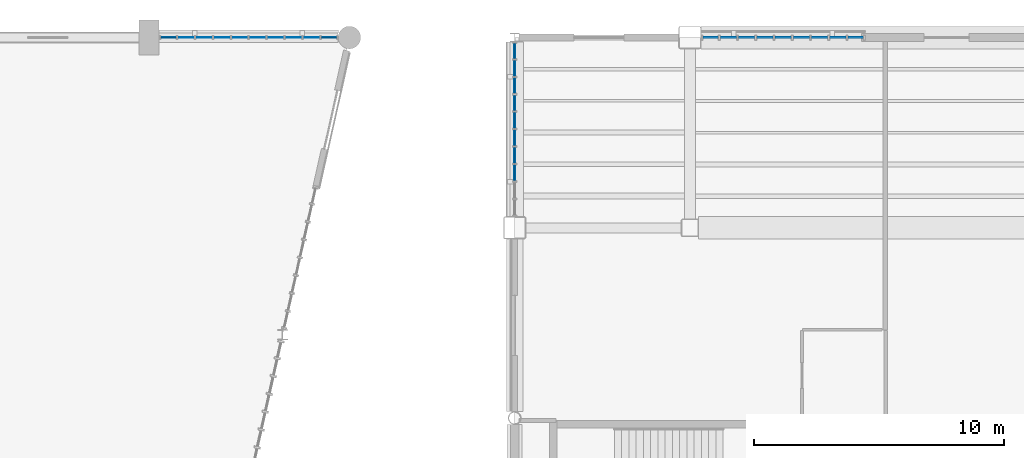
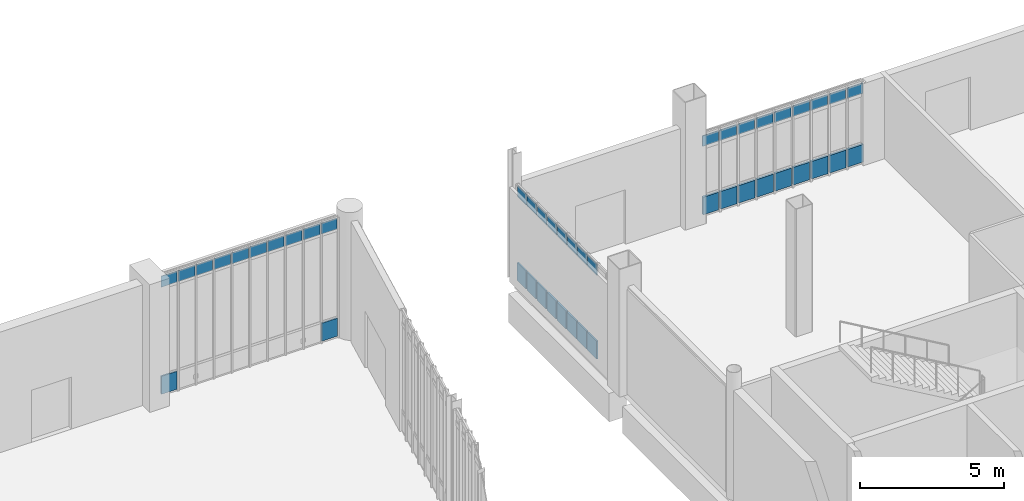
# One storey, part 81 of 111: 46 plates, 3 elements without a shape of their own.
"""IFC4 building model written with IfcOpenShell, lengths in metres."""

import ifcopenshell
import ifcopenshell.guid

model = None  # the IFC model being written
_history = None  # IfcOwnerHistory: only IFC2X3 demands one
_inside = {}  # id of a spatial element -> (the spatial element, [elements in it])
_under = {}  # id of a project, library or spatial element -> (it, [spatial elements below it])
_declared = {}  # id of a project -> (the project, [libraries it declares])
_typed = {}  # id of a type object -> (the type object, [elements of that type])
_made_of = {}  # id of a material, layer set ... -> (it, [elements and type objects made of it])


def new_model(schema):
    """Start an empty IFC model of exactly this schema.

    Asked for "IFC4X3", IfcOpenShell would pick the latest addendum, in which some entities
    have other attributes; the version numbers below select the first issue.
    IFC2X3 requires an IfcOwnerHistory on every rooted entity: one is made here for all.
    """
    global model, _history
    if schema == "IFC4X3":
        model = ifcopenshell.file(schema_version=(4, 3, 0, 0))
    else:
        model = ifcopenshell.file(schema=schema)
    _inside.clear()
    _under.clear()
    _declared.clear()
    _typed.clear()
    _made_of.clear()
    _history = None
    if model.schema == "IFC2X3":
        org = make("IfcOrganization", Name="unknown")
        user = make(
            "IfcPersonAndOrganization",
            ThePerson=make("IfcPerson", FamilyName="unknown"),
            TheOrganization=org,
        )
        app = make(
            "IfcApplication",
            ApplicationDeveloper=org,
            Version="unknown",
            ApplicationFullName="unknown",
            ApplicationIdentifier="unknown",
        )
        _history = make(
            "IfcOwnerHistory",
            OwningUser=user,
            OwningApplication=app,
            ChangeAction="ADDED",
            CreationDate=0,
        )
    return model


def make(cls, **values):
    """One entity of the class cls with the attributes given. An attribute that is None is left unset."""
    return model.create_entity(
        cls, **{name: value for name, value in values.items() if value is not None}
    )


def rooted(cls, **values):
    """An entity with a GlobalId (a new one), such as an element, a storey or a relation."""
    return make(cls, GlobalId=ifcopenshell.guid.new(), OwnerHistory=_history, **values)


def si_unit(unit_type, name, prefix=None):
    """IfcSIUnit, for example si_unit("LENGTHUNIT", "METRE", prefix="MILLI")."""
    return make("IfcSIUnit", UnitType=unit_type, Prefix=prefix, Name=name)


def assignment(units):
    """IfcUnitAssignment: the units of a project."""
    return None if units is None else make("IfcUnitAssignment", Units=units)


def point(xyz):
    """IfcCartesianPoint."""
    return None if xyz is None else make("IfcCartesianPoint", Coordinates=xyz)


def direction(xyz):
    """IfcDirection."""
    return None if xyz is None else make("IfcDirection", DirectionRatios=xyz)


def frame(location, z_axis=None, x_axis=None):
    """IfcAxis2Placement3D, a coordinate frame: its origin and axes. An axis left out is left unset."""
    return make(
        "IfcAxis2Placement3D",
        Location=point(location),
        Axis=direction(z_axis),
        RefDirection=direction(x_axis),
    )


def frame_2d(location, x_axis=None):
    """IfcAxis2Placement2D, a coordinate frame in the plane: its origin and x axis."""
    return make(
        "IfcAxis2Placement2D", Location=point(location), RefDirection=direction(x_axis)
    )


def origin():
    """The frame at (0, 0, 0) with its axes left unset."""
    return frame((0.0, 0.0, 0.0))


def origin_2d():
    """The frame at (0, 0) in the plane with its x axis left unset."""
    return frame_2d((0.0, 0.0))


def place(relative_to, where):
    """IfcLocalPlacement: puts the frame where relative to a parent placement (None: the world)."""
    return make(
        "IfcLocalPlacement", PlacementRelTo=relative_to, RelativePlacement=where
    )


def context(
    kind, dimensions, precision=None, world=None, true_north=None, identifier=None
):
    """IfcGeometricRepresentationContext, for example the 3D "Model" context."""
    return make(
        "IfcGeometricRepresentationContext",
        ContextIdentifier=identifier,
        ContextType=kind,
        CoordinateSpaceDimension=dimensions,
        Precision=precision,
        WorldCoordinateSystem=world,
        TrueNorth=true_north,
    )


def subcontext(parent, identifier, kind, view, scale=None):
    """IfcGeometricRepresentationSubContext, for example "Body" below "Model"."""
    return make(
        "IfcGeometricRepresentationSubContext",
        ContextIdentifier=identifier,
        ContextType=kind,
        ParentContext=parent,
        TargetScale=scale,
        TargetView=view,
    )


def project(units=None, contexts=None):
    """IfcProject with its units and contexts."""
    return rooted(
        "IfcProject",
        Name="project",
        RepresentationContexts=contexts,
        UnitsInContext=assignment(units),
    )


def spatial(cls, under=None, at=None, **own):
    """A site, building, storey or space (cls), placed at a placement, below another one or the project."""
    s = rooted(cls, ObjectPlacement=at, **own)
    if under is not None:
        _under.setdefault(under.id(), (under, []))[1].append(s)
    return s


def profile(cls, at=None, kind="AREA", **sizes):
    """A parametric profile (cls). Its sizes go by their IFC names, for example OverallWidth=200.0."""
    return make(cls, ProfileType=kind, Position=at, **sizes)


def rectangle(**sizes):
    """IfcRectangleProfileDef."""
    return profile("IfcRectangleProfileDef", **sizes)


def extrude(swept, where, along, depth):
    """IfcExtrudedAreaSolid: the profile swept, set in the frame where, extruded along a direction by depth."""
    return make(
        "IfcExtrudedAreaSolid",
        SweptArea=swept,
        Position=where,
        ExtrudedDirection=direction(along),
        Depth=depth,
    )


def shape(context_of_items, identifier, shape_type, items):
    """IfcShapeRepresentation: the items that make up one representation, for example the "Body"."""
    return make(
        "IfcShapeRepresentation",
        ContextOfItems=context_of_items,
        RepresentationIdentifier=identifier,
        RepresentationType=shape_type,
        Items=items,
    )


def material(Name=None, Category=None):
    """IfcMaterial."""
    return make("IfcMaterial", Name=Name, Category=Category)


def layer(
    of_material, thickness, ventilated=None, Name=None, Category=None, Priority=None
):
    """IfcMaterialLayer: one layer of a wall or slab, of a material (None: an air gap)."""
    return make(
        "IfcMaterialLayer",
        Material=of_material,
        LayerThickness=thickness,
        IsVentilated=ventilated,
        Name=Name,
        Category=Category,
        Priority=Priority,
    )


def layer_set(layers, Name=None):
    """IfcMaterialLayerSet."""
    return make("IfcMaterialLayerSet", MaterialLayers=layers, LayerSetName=Name)


def made_of(thing, what):
    """Note that an element or type object is made of a material, layer set ...; save() writes the relation."""
    if what is not None:
        _made_of.setdefault(what.id(), (what, []))[1].append(thing)
    return thing


def type_object(cls, material=None, **own):
    """A type object (cls), such as IfcWallType, which elements share."""
    return made_of(rooted(cls, **own), material)


def element(
    cls,
    number,
    at=None,
    inside=None,
    cuts=None,
    type_object=None,
    material=None,
    context=None,
    identifier="Body",
    shape_type=None,
    held_by="IfcProductDefinitionShape",
    body=None,
    shapes=None,
    **own,
):
    """One element of the class cls, such as IfcWall. Its Tag is "e" and its number.

    at: its placement. inside: the storey or other place that contains it. cuts: it is an
    opening in that element (IfcRelVoidsElement). A single representation is given by context,
    identifier, shape_type and body (its items); several are given by shapes. held_by: the class
    of the entity that holds the representations. save() writes the other relations.
    """
    e = rooted(cls, Tag="e%d" % number, ObjectPlacement=at, **own)
    if body is not None:
        shapes = [shape(context, identifier, shape_type, body)]
    if shapes is not None:
        e.Representation = make(held_by, Representations=shapes)
    if inside is not None:
        _inside.setdefault(inside.id(), (inside, []))[1].append(e)
    if cuts is not None:
        rooted(
            "IfcRelVoidsElement", RelatingBuildingElement=cuts, RelatedOpeningElement=e
        )
    if type_object is not None:
        _typed.setdefault(type_object.id(), (type_object, []))[1].append(e)
    return made_of(e, material)


def aggregate(whole, parts):
    """IfcRelAggregates: a whole, such as a stair, and the parts it consists of."""
    return rooted("IfcRelAggregates", RelatingObject=whole, RelatedObjects=parts)


def save(model, path):
    """Write the relations noted so far, then the file.

    IfcRelAggregates (storeys below a building ...), IfcRelContainedInSpatialStructure (elements
    in a storey), IfcRelDefinesByType, IfcRelAssociatesMaterial and IfcRelDeclares: one each for
    every whole, place, type object, material and project.
    """
    for whole, parts in _under.values():
        aggregate(whole, parts)
    for where, things in _inside.values():
        rooted(
            "IfcRelContainedInSpatialStructure",
            RelatedElements=things,
            RelatingStructure=where,
        )
    for kind, things in _typed.values():
        rooted("IfcRelDefinesByType", RelatedObjects=things, RelatingType=kind)
    for what, things in _made_of.values():
        rooted("IfcRelAssociatesMaterial", RelatedObjects=things, RelatingMaterial=what)
    for by, libraries in _declared.values():
        rooted("IfcRelDeclares", RelatingContext=by, RelatedDefinitions=libraries)
    model.write(path)


model = new_model("IFC4")

# Units and contexts
model_context = context("Model", 3, precision=1e-05, world=origin(), true_north=direction((0.0, 1.0)))
body_context = subcontext(model_context, "Body", "Model", "MODEL_VIEW")
ifc_project = project(units=[si_unit("LENGTHUNIT", "METRE"), si_unit("AREAUNIT", "SQUARE_METRE"), si_unit("VOLUMEUNIT", "CUBIC_METRE"), si_unit("PLANEANGLEUNIT", "RADIAN"), si_unit("MASSUNIT", "GRAM", prefix="KILO")], contexts=[model_context])

# Site, building, storey
site_placement = place(None, origin())
site = spatial("IfcSite", under=ifc_project, at=site_placement, CompositionType="ELEMENT")
building_placement = place(site_placement, origin())
building = spatial("IfcBuilding", under=site, at=building_placement, Name="Larkvane Passage Sports Hall", CompositionType="ELEMENT")
storey_placement = place(building_placement, origin())
storey = spatial("IfcBuildingStorey", under=building, at=storey_placement, Name="L00", CompositionType="ELEMENT", Elevation=0.0)

# Curtain wall, plates
ifc_material_1 = material(Name="Thermally broken aluminium and low-E glazing", Category="aluminium")
curtain_wall_type_1 = type_object("IfcCurtainWallType", Name="CW-UNIT-COURT", PredefinedType="USERDEFINED", material=ifc_material_1)
curtain_wall_1_placement = place(storey_placement, origin())
curtain_wall_1 = element("IfcCurtainWall", 1, at=curtain_wall_1_placement, inside=storey, type_object=curtain_wall_type_1, Name="Curtain wall CW5-L00-012", ObjectType="UNITISED CURTAIN WALL", PredefinedType="USERDEFINED")
ifc_material_2 = material(Name="Insulated aluminium spandrel panel", Category="aluminium")
ifc_layer_1 = layer(ifc_material_2, 0.06494140625)
ifc_layer_set_1 = layer_set([ifc_layer_1], Name="Insulated aluminium spandrel panel")
plate_type_1 = type_object("IfcPlateType", Name="CWP-SPD-65", PredefinedType="CURTAIN_PANEL", material=ifc_layer_set_1)
plate_1_placement = place(storey_placement, frame((110.768798828125, 99.199951171875, 0.06005859375), z_axis=(0.0, 0.0, 1.0), x_axis=(1.0, 0.0, 0.0)))
plate_1 = element("IfcPlate", 2, at=plate_1_placement, type_object=plate_type_1, Name="CW-01 panel 1.1", PredefinedType="CURTAIN_PANEL", context=body_context, shape_type="SweptSolid", body=[
    extrude(rectangle(XDim=0.625732421875, YDim=0.06494140625, at=origin_2d()), origin(), (0.0, 0.0, 1.0), 0.760009765625),
])
plate_2_placement = place(storey_placement, frame((117.18115234375, 99.199951171875, 0.06005859375), z_axis=(0.0, 0.0, 1.0), x_axis=(1.0, 0.0, 0.0)))
plate_2 = element("IfcPlate", 3, at=plate_2_placement, type_object=plate_type_1, Name="CW-01 panel 10.1", PredefinedType="CURTAIN_PANEL", context=body_context, shape_type="SweptSolid", body=[
    extrude(rectangle(XDim=0.625732421875, YDim=0.06494140625, at=origin_2d()), origin(), (0.0, 0.0, 1.0), 0.760009765625),
])

curtain_wall_2_placement = place(storey_placement, origin())
curtain_wall_2 = element("IfcCurtainWall", 4, at=curtain_wall_2_placement, inside=storey, type_object=curtain_wall_type_1, Name="Curtain wall CW5-L00-020", ObjectType="UNITISED CURTAIN WALL", PredefinedType="USERDEFINED")
plate_3_placement = place(storey_placement, frame((124.60009765625, 93.791748046875, 0.06005859375), z_axis=(0.0, 0.0, 1.0), x_axis=(0.0, 1.0, 0.0)))
plate_3 = element("IfcPlate", 5, at=plate_3_placement, type_object=plate_type_1, Name="CW-01 panel 3.1", PredefinedType="CURTAIN_PANEL", context=body_context, shape_type="SweptSolid", body=[
    extrude(rectangle(XDim=0.63818359375, YDim=0.06494140625, at=origin_2d()), origin(), (0.0, 0.0, 1.0), 0.760009765625),
])
plate_4_placement = place(storey_placement, frame((124.60009765625, 94.489990234375, 0.06005859375), z_axis=(0.0, 0.0, 1.0), x_axis=(0.0, 1.0, 0.0)))
plate_4 = element("IfcPlate", 6, at=plate_4_placement, type_object=plate_type_1, Name="CW-01 panel 4.1", PredefinedType="CURTAIN_PANEL", context=body_context, shape_type="SweptSolid", body=[
    extrude(rectangle(XDim=0.63818359375, YDim=0.06494140625, at=origin_2d()), origin(), (0.0, 0.0, 1.0), 0.760009765625),
])
plate_5_placement = place(storey_placement, frame((124.60009765625, 95.188232421875, 0.06005859375), z_axis=(0.0, 0.0, 1.0), x_axis=(0.0, 1.0, 0.0)))
plate_5 = element("IfcPlate", 7, at=plate_5_placement, type_object=plate_type_1, Name="CW-01 panel 5.1", PredefinedType="CURTAIN_PANEL", context=body_context, shape_type="SweptSolid", body=[
    extrude(rectangle(XDim=0.63818359375, YDim=0.06494140625, at=origin_2d()), origin(), (0.0, 0.0, 1.0), 0.760009765625),
])
plate_6_placement = place(storey_placement, frame((124.60009765625, 95.88671875, 0.06005859375), z_axis=(0.0, 0.0, 1.0), x_axis=(0.0, 1.0, 0.0)))
plate_6 = element("IfcPlate", 8, at=plate_6_placement, type_object=plate_type_1, Name="CW-01 panel 6.1", PredefinedType="CURTAIN_PANEL", context=body_context, shape_type="SweptSolid", body=[
    extrude(rectangle(XDim=0.63818359375, YDim=0.06494140625, at=origin_2d()), origin(), (0.0, 0.0, 1.0), 0.760009765625),
])
plate_7_placement = place(storey_placement, frame((124.60009765625, 96.5849609375, 0.06005859375), z_axis=(0.0, 0.0, 1.0), x_axis=(0.0, 1.0, 0.0)))
plate_7 = element("IfcPlate", 9, at=plate_7_placement, type_object=plate_type_1, Name="CW-01 panel 7.1", PredefinedType="CURTAIN_PANEL", context=body_context, shape_type="SweptSolid", body=[
    extrude(rectangle(XDim=0.63818359375, YDim=0.06494140625, at=origin_2d()), origin(), (0.0, 0.0, 1.0), 0.760009765625),
])
plate_8_placement = place(storey_placement, frame((124.60009765625, 97.283203125, 0.06005859375), z_axis=(0.0, 0.0, 1.0), x_axis=(0.0, 1.0, 0.0)))
plate_8 = element("IfcPlate", 10, at=plate_8_placement, type_object=plate_type_1, Name="CW-01 panel 8.1", PredefinedType="CURTAIN_PANEL", context=body_context, shape_type="SweptSolid", body=[
    extrude(rectangle(XDim=0.63818359375, YDim=0.06494140625, at=origin_2d()), origin(), (0.0, 0.0, 1.0), 0.760009765625),
])
plate_9_placement = place(storey_placement, frame((124.60009765625, 97.9814453125, 0.06005859375), z_axis=(0.0, 0.0, 1.0), x_axis=(0.0, 1.0, 0.0)))
plate_9 = element("IfcPlate", 11, at=plate_9_placement, type_object=plate_type_1, Name="CW-01 panel 9.1", PredefinedType="CURTAIN_PANEL", context=body_context, shape_type="SweptSolid", body=[
    extrude(rectangle(XDim=0.63818359375, YDim=0.06494140625, at=origin_2d()), origin(), (0.0, 0.0, 1.0), 0.760009765625),
])
plate_10_placement = place(storey_placement, frame((124.60009765625, 98.664794921875, 0.06005859375), z_axis=(0.0, 0.0, 1.0), x_axis=(0.0, 1.0, 0.0)))
plate_10 = element("IfcPlate", 12, at=plate_10_placement, type_object=plate_type_1, Name="CW-01 panel 10.1", PredefinedType="CURTAIN_PANEL", context=body_context, shape_type="SweptSolid", body=[
    extrude(rectangle(XDim=0.6083984375, YDim=0.06494140625, at=origin_2d()), origin(), (0.0, 0.0, 1.0), 0.760009765625),
])

curtain_wall_type_2 = type_object("IfcCurtainWallType", Name="CW-UNIT-VEIL", PredefinedType="USERDEFINED", material=ifc_material_1)
curtain_wall_3_placement = place(storey_placement, origin())
curtain_wall_3 = element("IfcCurtainWall", 13, at=curtain_wall_3_placement, inside=storey, type_object=curtain_wall_type_2, Name="Curtain wall CW5-L00-021", ObjectType="UNITISED CURTAIN WALL", PredefinedType="USERDEFINED")
ifc_material_3 = material(Name="Mineral-wool insulated spandrel cassette")
ifc_layer_2 = layer(ifc_material_3, 0.0849609375)
ifc_layer_set_2 = layer_set([ifc_layer_2], Name="Mineral-wool insulated spandrel cassette")
plate_type_2 = type_object("IfcPlateType", Name="CWP-SPD-85", PredefinedType="CURTAIN_PANEL", material=ifc_layer_set_2)
plate_11_placement = place(storey_placement, frame((132.427490234375, 99.199951171875, 0.06982421875), z_axis=(0.0, 0.0, 1.0), x_axis=(1.0, 0.0, 0.0)))
plate_11 = element("IfcPlate", 14, at=plate_11_placement, type_object=plate_type_2, Name="CW-02 panel 1.1", PredefinedType="CURTAIN_PANEL", context=body_context, shape_type="SweptSolid", body=[
    extrude(rectangle(XDim=0.623291015625, YDim=0.0849609375, at=origin_2d()), origin(), (0.0, 0.0, 1.0), 0.7451171875),
])
plate_12_placement = place(storey_placement, frame((133.138427734375, 99.199951171875, 0.06982421875), z_axis=(0.0, 0.0, 1.0), x_axis=(1.0, 0.0, 0.0)))
plate_12 = element("IfcPlate", 15, at=plate_12_placement, type_object=plate_type_2, Name="CW-02 panel 2.1", PredefinedType="CURTAIN_PANEL", context=body_context, shape_type="SweptSolid", body=[
    extrude(rectangle(XDim=0.658203125, YDim=0.0849609375, at=origin_2d()), origin(), (0.0, 0.0, 1.0), 0.7451171875),
])
plate_13_placement = place(storey_placement, frame((133.866455078125, 99.199951171875, 0.06982421875), z_axis=(0.0, 0.0, 1.0), x_axis=(1.0, 0.0, 0.0)))
plate_13 = element("IfcPlate", 16, at=plate_13_placement, type_object=plate_type_2, Name="CW-02 panel 3.1", PredefinedType="CURTAIN_PANEL", context=body_context, shape_type="SweptSolid", body=[
    extrude(rectangle(XDim=0.658203125, YDim=0.0849609375, at=origin_2d()), origin(), (0.0, 0.0, 1.0), 0.7451171875),
])
plate_14_placement = place(storey_placement, frame((134.5947265625, 99.199951171875, 0.06982421875), z_axis=(0.0, 0.0, 1.0), x_axis=(1.0, 0.0, 0.0)))
plate_14 = element("IfcPlate", 17, at=plate_14_placement, type_object=plate_type_2, Name="CW-02 panel 4.1", PredefinedType="CURTAIN_PANEL", context=body_context, shape_type="SweptSolid", body=[
    extrude(rectangle(XDim=0.658203125, YDim=0.0849609375, at=origin_2d()), origin(), (0.0, 0.0, 1.0), 0.7451171875),
])
plate_15_placement = place(storey_placement, frame((135.322998046875, 99.199951171875, 0.06982421875), z_axis=(0.0, 0.0, 1.0), x_axis=(1.0, 0.0, 0.0)))
plate_15 = element("IfcPlate", 18, at=plate_15_placement, type_object=plate_type_2, Name="CW-02 panel 5.1", PredefinedType="CURTAIN_PANEL", context=body_context, shape_type="SweptSolid", body=[
    extrude(rectangle(XDim=0.658203125, YDim=0.0849609375, at=origin_2d()), origin(), (0.0, 0.0, 1.0), 0.7451171875),
])
plate_16_placement = place(storey_placement, frame((136.05126953125, 99.199951171875, 0.06982421875), z_axis=(0.0, 0.0, 1.0), x_axis=(1.0, 0.0, 0.0)))
plate_16 = element("IfcPlate", 19, at=plate_16_placement, type_object=plate_type_2, Name="CW-02 panel 6.1", PredefinedType="CURTAIN_PANEL", context=body_context, shape_type="SweptSolid", body=[
    extrude(rectangle(XDim=0.658203125, YDim=0.0849609375, at=origin_2d()), origin(), (0.0, 0.0, 1.0), 0.7451171875),
])
plate_17_placement = place(storey_placement, frame((136.779541015625, 99.199951171875, 0.06982421875), z_axis=(0.0, 0.0, 1.0), x_axis=(1.0, 0.0, 0.0)))
plate_17 = element("IfcPlate", 20, at=plate_17_placement, type_object=plate_type_2, Name="CW-02 panel 7.1", PredefinedType="CURTAIN_PANEL", context=body_context, shape_type="SweptSolid", body=[
    extrude(rectangle(XDim=0.658203125, YDim=0.0849609375, at=origin_2d()), origin(), (0.0, 0.0, 1.0), 0.7451171875),
])
plate_18_placement = place(storey_placement, frame((137.507568359375, 99.199951171875, 0.06982421875), z_axis=(0.0, 0.0, 1.0), x_axis=(1.0, 0.0, 0.0)))
plate_18 = element("IfcPlate", 21, at=plate_18_placement, type_object=plate_type_2, Name="CW-02 panel 8.1", PredefinedType="CURTAIN_PANEL", context=body_context, shape_type="SweptSolid", body=[
    extrude(rectangle(XDim=0.658203125, YDim=0.0849609375, at=origin_2d()), origin(), (0.0, 0.0, 1.0), 0.7451171875),
])
plate_19_placement = place(storey_placement, frame((138.218505859375, 99.199951171875, 0.06982421875), z_axis=(0.0, 0.0, 1.0), x_axis=(1.0, 0.0, 0.0)))
plate_19 = element("IfcPlate", 22, at=plate_19_placement, type_object=plate_type_2, Name="CW-02 panel 9.1", PredefinedType="CURTAIN_PANEL", context=body_context, shape_type="SweptSolid", body=[
    extrude(rectangle(XDim=0.623291015625, YDim=0.0849609375, at=origin_2d()), origin(), (0.0, 0.0, 1.0), 0.7451171875),
])

# Plate
ifc_material_4 = material(Name="Solar-control low-E double glazing", Category="glass")
ifc_layer_3 = layer(ifc_material_4, 0.028076171875)
ifc_layer_set_3 = layer_set([ifc_layer_3], Name="Solar-control low-E double glazing")
plate_type_3 = type_object("IfcPlateType", Name="CWP-VIS-28", PredefinedType="CURTAIN_PANEL", material=ifc_layer_set_3)
plate_20_placement = place(storey_placement, frame((110.768798828125, 99.199951171875, 4.580078125), z_axis=(0.0, 0.0, 1.0), x_axis=(1.0, 0.0, 0.0)))
plate_20 = element("IfcPlate", 23, at=plate_20_placement, type_object=plate_type_3, Name="CW-01 panel 1.3", PredefinedType="CURTAIN_PANEL", context=body_context, shape_type="SweptSolid", body=[
    extrude(rectangle(XDim=0.625732421875, YDim=0.028076171875, at=origin_2d()), origin(), (0.0, 0.0, 1.0), 0.4599609375),
])

plate_21_placement = place(storey_placement, frame((111.4697265625, 99.199951171875, 4.580078125), z_axis=(0.0, 0.0, 1.0), x_axis=(1.0, 0.0, 0.0)))
plate_21 = element("IfcPlate", 24, at=plate_21_placement, type_object=plate_type_3, Name="CW-01 panel 2.3", PredefinedType="CURTAIN_PANEL", context=body_context, shape_type="SweptSolid", body=[
    extrude(rectangle(XDim=0.65576171875, YDim=0.028076171875, at=origin_2d()), origin(), (0.0, 0.0, 1.0), 0.4599609375),
])

plate_22_placement = place(storey_placement, frame((112.185546875, 99.199951171875, 4.580078125), z_axis=(0.0, 0.0, 1.0), x_axis=(1.0, 0.0, 0.0)))
plate_22 = element("IfcPlate", 25, at=plate_22_placement, type_object=plate_type_3, Name="CW-01 panel 3.3", PredefinedType="CURTAIN_PANEL", context=body_context, shape_type="SweptSolid", body=[
    extrude(rectangle(XDim=0.65576171875, YDim=0.028076171875, at=origin_2d()), origin(), (0.0, 0.0, 1.0), 0.4599609375),
])

plate_23_placement = place(storey_placement, frame((112.9013671875, 99.199951171875, 4.580078125), z_axis=(0.0, 0.0, 1.0), x_axis=(1.0, 0.0, 0.0)))
plate_23 = element("IfcPlate", 26, at=plate_23_placement, type_object=plate_type_3, Name="CW-01 panel 4.3", PredefinedType="CURTAIN_PANEL", context=body_context, shape_type="SweptSolid", body=[
    extrude(rectangle(XDim=0.65576171875, YDim=0.028076171875, at=origin_2d()), origin(), (0.0, 0.0, 1.0), 0.4599609375),
])

plate_24_placement = place(storey_placement, frame((113.6171875, 99.199951171875, 4.580078125), z_axis=(0.0, 0.0, 1.0), x_axis=(1.0, 0.0, 0.0)))
plate_24 = element("IfcPlate", 27, at=plate_24_placement, type_object=plate_type_3, Name="CW-01 panel 5.3", PredefinedType="CURTAIN_PANEL", context=body_context, shape_type="SweptSolid", body=[
    extrude(rectangle(XDim=0.65576171875, YDim=0.028076171875, at=origin_2d()), origin(), (0.0, 0.0, 1.0), 0.4599609375),
])

plate_25_placement = place(storey_placement, frame((114.3330078125, 99.199951171875, 4.580078125), z_axis=(0.0, 0.0, 1.0), x_axis=(1.0, 0.0, 0.0)))
plate_25 = element("IfcPlate", 28, at=plate_25_placement, type_object=plate_type_3, Name="CW-01 panel 6.3", PredefinedType="CURTAIN_PANEL", context=body_context, shape_type="SweptSolid", body=[
    extrude(rectangle(XDim=0.65576171875, YDim=0.028076171875, at=origin_2d()), origin(), (0.0, 0.0, 1.0), 0.4599609375),
])

plate_26_placement = place(storey_placement, frame((115.048583984375, 99.199951171875, 4.580078125), z_axis=(0.0, 0.0, 1.0), x_axis=(1.0, 0.0, 0.0)))
plate_26 = element("IfcPlate", 29, at=plate_26_placement, type_object=plate_type_3, Name="CW-01 panel 7.3", PredefinedType="CURTAIN_PANEL", context=body_context, shape_type="SweptSolid", body=[
    extrude(rectangle(XDim=0.65576171875, YDim=0.028076171875, at=origin_2d()), origin(), (0.0, 0.0, 1.0), 0.4599609375),
])

plate_27_placement = place(storey_placement, frame((115.764404296875, 99.199951171875, 4.580078125), z_axis=(0.0, 0.0, 1.0), x_axis=(1.0, 0.0, 0.0)))
plate_27 = element("IfcPlate", 30, at=plate_27_placement, type_object=plate_type_3, Name="CW-01 panel 8.3", PredefinedType="CURTAIN_PANEL", context=body_context, shape_type="SweptSolid", body=[
    extrude(rectangle(XDim=0.65576171875, YDim=0.028076171875, at=origin_2d()), origin(), (0.0, 0.0, 1.0), 0.4599609375),
])

plate_28_placement = place(storey_placement, frame((116.480224609375, 99.199951171875, 4.580078125), z_axis=(0.0, 0.0, 1.0), x_axis=(1.0, 0.0, 0.0)))
plate_28 = element("IfcPlate", 31, at=plate_28_placement, type_object=plate_type_3, Name="CW-01 panel 9.3", PredefinedType="CURTAIN_PANEL", context=body_context, shape_type="SweptSolid", body=[
    extrude(rectangle(XDim=0.65576171875, YDim=0.028076171875, at=origin_2d()), origin(), (0.0, 0.0, 1.0), 0.4599609375),
])

plate_29_placement = place(storey_placement, frame((117.18115234375, 99.199951171875, 4.580078125), z_axis=(0.0, 0.0, 1.0), x_axis=(1.0, 0.0, 0.0)))
plate_29 = element("IfcPlate", 32, at=plate_29_placement, type_object=plate_type_3, Name="CW-01 panel 10.3", PredefinedType="CURTAIN_PANEL", context=body_context, shape_type="SweptSolid", body=[
    extrude(rectangle(XDim=0.625732421875, YDim=0.028076171875, at=origin_2d()), origin(), (0.0, 0.0, 1.0), 0.4599609375),
])

aggregate(curtain_wall_1, [plate_1, plate_20, plate_21, plate_22, plate_23, plate_24, plate_25, plate_26, plate_27, plate_28, plate_2, plate_29])

plate_30_placement = place(storey_placement, frame((124.60009765625, 93.791748046875, 3.597900390625), z_axis=(0.0, 0.0, 1.0), x_axis=(0.0, 1.0, 0.0)))
plate_30 = element("IfcPlate", 33, at=plate_30_placement, type_object=plate_type_3, Name="CW-01 panel 3.3", PredefinedType="CURTAIN_PANEL", context=body_context, shape_type="SweptSolid", body=[
    extrude(rectangle(XDim=0.63818359375, YDim=0.028076171875, at=origin_2d()), origin(), (0.0, 0.0, 1.0), 0.4599609375),
])

plate_31_placement = place(storey_placement, frame((124.60009765625, 94.489990234375, 3.597900390625), z_axis=(0.0, 0.0, 1.0), x_axis=(0.0, 1.0, 0.0)))
plate_31 = element("IfcPlate", 34, at=plate_31_placement, type_object=plate_type_3, Name="CW-01 panel 4.3", PredefinedType="CURTAIN_PANEL", context=body_context, shape_type="SweptSolid", body=[
    extrude(rectangle(XDim=0.63818359375, YDim=0.028076171875, at=origin_2d()), origin(), (0.0, 0.0, 1.0), 0.4599609375),
])

plate_32_placement = place(storey_placement, frame((124.60009765625, 95.188232421875, 3.597900390625), z_axis=(0.0, 0.0, 1.0), x_axis=(0.0, 1.0, 0.0)))
plate_32 = element("IfcPlate", 35, at=plate_32_placement, type_object=plate_type_3, Name="CW-01 panel 5.3", PredefinedType="CURTAIN_PANEL", context=body_context, shape_type="SweptSolid", body=[
    extrude(rectangle(XDim=0.63818359375, YDim=0.028076171875, at=origin_2d()), origin(), (0.0, 0.0, 1.0), 0.4599609375),
])

plate_33_placement = place(storey_placement, frame((124.60009765625, 95.88671875, 3.597900390625), z_axis=(0.0, 0.0, 1.0), x_axis=(0.0, 1.0, 0.0)))
plate_33 = element("IfcPlate", 36, at=plate_33_placement, type_object=plate_type_3, Name="CW-01 panel 6.3", PredefinedType="CURTAIN_PANEL", context=body_context, shape_type="SweptSolid", body=[
    extrude(rectangle(XDim=0.63818359375, YDim=0.028076171875, at=origin_2d()), origin(), (0.0, 0.0, 1.0), 0.4599609375),
])

plate_34_placement = place(storey_placement, frame((124.60009765625, 96.5849609375, 3.597900390625), z_axis=(0.0, 0.0, 1.0), x_axis=(0.0, 1.0, 0.0)))
plate_34 = element("IfcPlate", 37, at=plate_34_placement, type_object=plate_type_3, Name="CW-01 panel 7.3", PredefinedType="CURTAIN_PANEL", context=body_context, shape_type="SweptSolid", body=[
    extrude(rectangle(XDim=0.63818359375, YDim=0.028076171875, at=origin_2d()), origin(), (0.0, 0.0, 1.0), 0.4599609375),
])

plate_35_placement = place(storey_placement, frame((124.60009765625, 97.283203125, 3.597900390625), z_axis=(0.0, 0.0, 1.0), x_axis=(0.0, 1.0, 0.0)))
plate_35 = element("IfcPlate", 38, at=plate_35_placement, type_object=plate_type_3, Name="CW-01 panel 8.3", PredefinedType="CURTAIN_PANEL", context=body_context, shape_type="SweptSolid", body=[
    extrude(rectangle(XDim=0.63818359375, YDim=0.028076171875, at=origin_2d()), origin(), (0.0, 0.0, 1.0), 0.4599609375),
])

plate_36_placement = place(storey_placement, frame((124.60009765625, 97.9814453125, 3.597900390625), z_axis=(0.0, 0.0, 1.0), x_axis=(0.0, 1.0, 0.0)))
plate_36 = element("IfcPlate", 39, at=plate_36_placement, type_object=plate_type_3, Name="CW-01 panel 9.3", PredefinedType="CURTAIN_PANEL", context=body_context, shape_type="SweptSolid", body=[
    extrude(rectangle(XDim=0.63818359375, YDim=0.028076171875, at=origin_2d()), origin(), (0.0, 0.0, 1.0), 0.4599609375),
])

plate_37_placement = place(storey_placement, frame((124.60009765625, 98.664794921875, 3.597900390625), z_axis=(0.0, 0.0, 1.0), x_axis=(0.0, 1.0, 0.0)))
plate_37 = element("IfcPlate", 40, at=plate_37_placement, type_object=plate_type_3, Name="CW-01 panel 10.3", PredefinedType="CURTAIN_PANEL", context=body_context, shape_type="SweptSolid", body=[
    extrude(rectangle(XDim=0.6083984375, YDim=0.028076171875, at=origin_2d()), origin(), (0.0, 0.0, 1.0), 0.4599609375),
])

aggregate(curtain_wall_2, [plate_3, plate_30, plate_4, plate_31, plate_5, plate_32, plate_6, plate_33, plate_7, plate_34, plate_8, plate_35, plate_9, plate_36, plate_10, plate_37])

ifc_material_5 = material(Name="Laminated acoustic low-E glazing", Category="glass")
ifc_layer_4 = layer(ifc_material_5, 0.031982421875)
ifc_layer_set_4 = layer_set([ifc_layer_4], Name="Laminated acoustic low-E glazing")
plate_type_4 = type_object("IfcPlateType", Name="CWP-VIS-32", PredefinedType="CURTAIN_PANEL", material=ifc_layer_set_4)
plate_38_placement = place(storey_placement, frame((132.427490234375, 99.199951171875, 2.953125), z_axis=(0.0, 0.0, 1.0), x_axis=(1.0, 0.0, 0.0)))
plate_38 = element("IfcPlate", 41, at=plate_38_placement, type_object=plate_type_4, Name="CW-02 panel 1.3", PredefinedType="CURTAIN_PANEL", context=body_context, shape_type="SweptSolid", body=[
    extrude(rectangle(XDim=0.623291015625, YDim=0.031982421875, at=origin_2d()), origin(), (0.0, 0.0, 1.0), 0.445068359375),
])

plate_39_placement = place(storey_placement, frame((133.138427734375, 99.199951171875, 2.953125), z_axis=(0.0, 0.0, 1.0), x_axis=(1.0, 0.0, 0.0)))
plate_39 = element("IfcPlate", 42, at=plate_39_placement, type_object=plate_type_4, Name="CW-02 panel 2.3", PredefinedType="CURTAIN_PANEL", context=body_context, shape_type="SweptSolid", body=[
    extrude(rectangle(XDim=0.658203125, YDim=0.031982421875, at=origin_2d()), origin(), (0.0, 0.0, 1.0), 0.445068359375),
])

plate_40_placement = place(storey_placement, frame((133.866455078125, 99.199951171875, 2.953125), z_axis=(0.0, 0.0, 1.0), x_axis=(1.0, 0.0, 0.0)))
plate_40 = element("IfcPlate", 43, at=plate_40_placement, type_object=plate_type_4, Name="CW-02 panel 3.3", PredefinedType="CURTAIN_PANEL", context=body_context, shape_type="SweptSolid", body=[
    extrude(rectangle(XDim=0.658203125, YDim=0.031982421875, at=origin_2d()), origin(), (0.0, 0.0, 1.0), 0.445068359375),
])

plate_41_placement = place(storey_placement, frame((134.5947265625, 99.199951171875, 2.953125), z_axis=(0.0, 0.0, 1.0), x_axis=(1.0, 0.0, 0.0)))
plate_41 = element("IfcPlate", 44, at=plate_41_placement, type_object=plate_type_4, Name="CW-02 panel 4.3", PredefinedType="CURTAIN_PANEL", context=body_context, shape_type="SweptSolid", body=[
    extrude(rectangle(XDim=0.658203125, YDim=0.031982421875, at=origin_2d()), origin(), (0.0, 0.0, 1.0), 0.445068359375),
])

plate_42_placement = place(storey_placement, frame((135.322998046875, 99.199951171875, 2.953125), z_axis=(0.0, 0.0, 1.0), x_axis=(1.0, 0.0, 0.0)))
plate_42 = element("IfcPlate", 45, at=plate_42_placement, type_object=plate_type_4, Name="CW-02 panel 5.3", PredefinedType="CURTAIN_PANEL", context=body_context, shape_type="SweptSolid", body=[
    extrude(rectangle(XDim=0.658203125, YDim=0.031982421875, at=origin_2d()), origin(), (0.0, 0.0, 1.0), 0.445068359375),
])

plate_43_placement = place(storey_placement, frame((136.05126953125, 99.199951171875, 2.953125), z_axis=(0.0, 0.0, 1.0), x_axis=(1.0, 0.0, 0.0)))
plate_43 = element("IfcPlate", 46, at=plate_43_placement, type_object=plate_type_4, Name="CW-02 panel 6.3", PredefinedType="CURTAIN_PANEL", context=body_context, shape_type="SweptSolid", body=[
    extrude(rectangle(XDim=0.658203125, YDim=0.031982421875, at=origin_2d()), origin(), (0.0, 0.0, 1.0), 0.445068359375),
])

plate_44_placement = place(storey_placement, frame((136.779541015625, 99.199951171875, 2.953125), z_axis=(0.0, 0.0, 1.0), x_axis=(1.0, 0.0, 0.0)))
plate_44 = element("IfcPlate", 47, at=plate_44_placement, type_object=plate_type_4, Name="CW-02 panel 7.3", PredefinedType="CURTAIN_PANEL", context=body_context, shape_type="SweptSolid", body=[
    extrude(rectangle(XDim=0.658203125, YDim=0.031982421875, at=origin_2d()), origin(), (0.0, 0.0, 1.0), 0.445068359375),
])

plate_45_placement = place(storey_placement, frame((137.507568359375, 99.199951171875, 2.953125), z_axis=(0.0, 0.0, 1.0), x_axis=(1.0, 0.0, 0.0)))
plate_45 = element("IfcPlate", 48, at=plate_45_placement, type_object=plate_type_4, Name="CW-02 panel 8.3", PredefinedType="CURTAIN_PANEL", context=body_context, shape_type="SweptSolid", body=[
    extrude(rectangle(XDim=0.658203125, YDim=0.031982421875, at=origin_2d()), origin(), (0.0, 0.0, 1.0), 0.445068359375),
])

plate_46_placement = place(storey_placement, frame((138.218505859375, 99.199951171875, 2.953125), z_axis=(0.0, 0.0, 1.0), x_axis=(1.0, 0.0, 0.0)))
plate_46 = element("IfcPlate", 49, at=plate_46_placement, type_object=plate_type_4, Name="CW-02 panel 9.3", PredefinedType="CURTAIN_PANEL", context=body_context, shape_type="SweptSolid", body=[
    extrude(rectangle(XDim=0.623291015625, YDim=0.031982421875, at=origin_2d()), origin(), (0.0, 0.0, 1.0), 0.445068359375),
])

aggregate(curtain_wall_3, [plate_11, plate_38, plate_12, plate_39, plate_13, plate_40, plate_14, plate_41, plate_15, plate_42, plate_16, plate_43, plate_17, plate_44, plate_18, plate_45, plate_19, plate_46])

save(model, "model.ifc")
